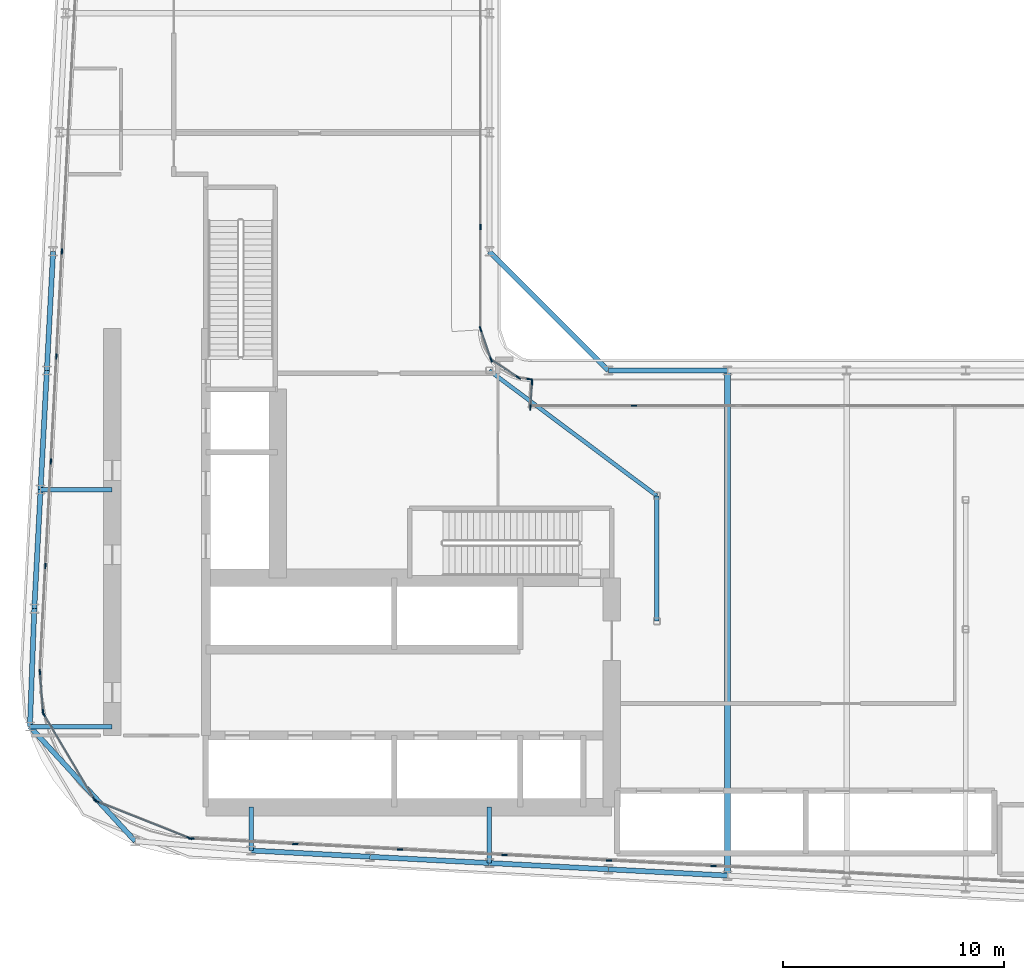
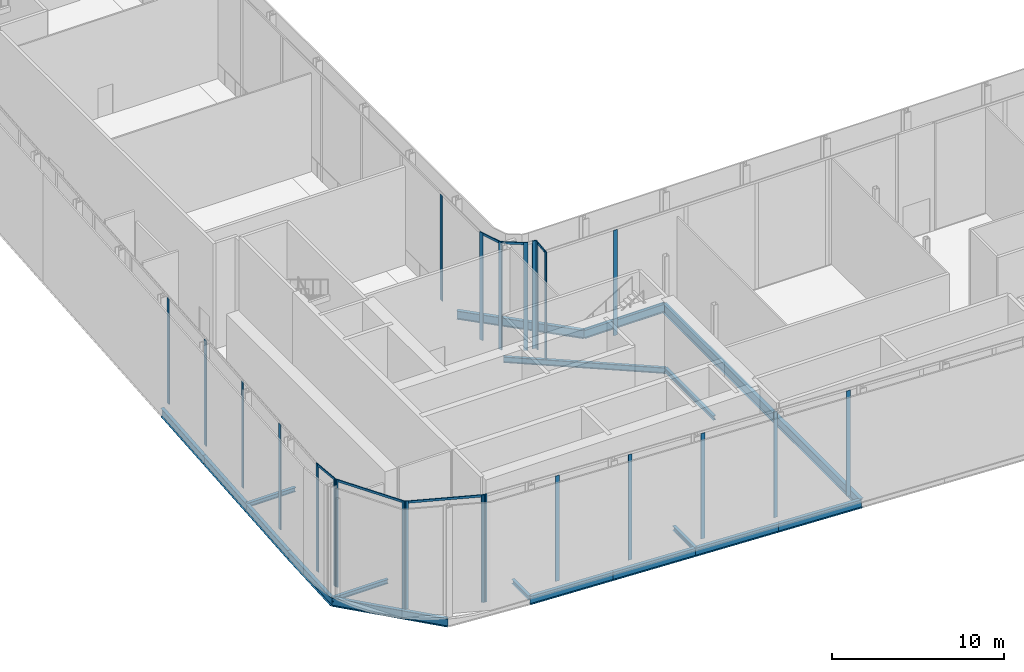
# One storey, part 6 of 37: 30 members, 18 beams, 11 elements without a shape of their own.
"""IFC4 building model written with IfcOpenShell, lengths in metres."""

from ifc_helpers import new_model, si_unit, direction, frame, origin, origin_2d, place, context, subcontext, project, spatial, rectangle, i_section, extrude, material, layer, layer_set, material_profile, profile_set, type_object, element, aggregate, save


model = new_model("IFC4")

# Units and contexts
model_context = context("Model", 3, precision=1e-05, world=origin(), true_north=direction((0.0, 1.0)))
body_context = subcontext(model_context, "Body", "Model", "MODEL_VIEW")
ifc_project = project(units=[si_unit("LENGTHUNIT", "METRE"), si_unit("AREAUNIT", "SQUARE_METRE"), si_unit("VOLUMEUNIT", "CUBIC_METRE"), si_unit("PLANEANGLEUNIT", "RADIAN"), si_unit("MASSUNIT", "GRAM", prefix="KILO")], contexts=[model_context])

# Site, building, storey
site_placement = place(None, origin())
site = spatial("IfcSite", under=ifc_project, at=site_placement, CompositionType="ELEMENT")
building_placement = place(site_placement, origin())
building = spatial("IfcBuilding", under=site, at=building_placement, Name="Kheshtan School and Residences Tower", CompositionType="ELEMENT")
storey_placement = place(building_placement, frame((0.0, 0.0, 144.800048828125)))
storey = spatial("IfcBuildingStorey", under=building, at=storey_placement, Name="L34", CompositionType="ELEMENT", Elevation=144.800048828125)

# Beams
ifc_material_1 = material(Name="Steel ASTM A992 Grade 50", Category="steel")
ifc_material_profile_1 = material_profile(ifc_material_1, i_section(OverallWidth=0.202880859375, OverallDepth=0.302978515625, WebThickness=0.007568359375, FlangeThickness=0.01318359375, FilletRadius=0.009033203125, at=origin_2d()), Name="W310x60")
ifc_profile_set_1 = profile_set([ifc_material_profile_1], Name="Steel ASTM A992 Grade 50")
beam_type_1 = type_object("IfcBeamType", Name="Beam FB1 W310x60 ASTM A992 Grade 50", PredefinedType="BEAM", material=ifc_profile_set_1)
beam_1_placement = place(storey_placement, frame((47.60009765625, 23.263916015625, -0.301513671875), z_axis=(0.0, 1.0, 0.0), x_axis=(-1.0, 0.0, 0.0)))
element("IfcBeam", 1, at=beam_1_placement, inside=storey, type_object=beam_type_1, Name="Floor beam C020", PredefinedType="BEAM", context=body_context, shape_type="SweptSolid", body=[
    extrude(i_section(OverallWidth=0.202880859375, OverallDepth=0.302978515625, WebThickness=0.007568359375, FlangeThickness=0.01318359375, FilletRadius=0.009033203125, at=origin_2d()), origin(), (0.0, 0.0, 1.0), 2.5361328125),
])
beam_2_placement = place(storey_placement, frame((36.800048828125, 23.83203125, -0.301513671875), z_axis=(0.0, 1.0, 0.0), x_axis=(-1.0, 0.0, 0.0)))
element("IfcBeam", 2, at=beam_2_placement, inside=storey, type_object=beam_type_1, Name="Floor beam C022", PredefinedType="BEAM", context=body_context, shape_type="SweptSolid", body=[
    extrude(i_section(OverallWidth=0.202880859375, OverallDepth=0.302978515625, WebThickness=0.007568359375, FlangeThickness=0.01318359375, FilletRadius=0.009033203125, at=origin_2d()), origin(), (0.0, 0.0, 1.0), 1.968017578125),
])
beam_3_placement = place(storey_placement, frame((26.76904296875, 29.4541015625, -0.301513671875), z_axis=(1.0, 0.0, 0.0), x_axis=(0.0, 1.0, 0.0)))
element("IfcBeam", 3, at=beam_3_placement, inside=storey, type_object=beam_type_1, Name="Floor beam C038", PredefinedType="BEAM", context=body_context, shape_type="SweptSolid", body=[
    extrude(i_section(OverallWidth=0.202880859375, OverallDepth=0.302978515625, WebThickness=0.007568359375, FlangeThickness=0.01318359375, FilletRadius=0.009033203125, at=origin_2d()), origin(), (0.0, 0.0, 1.0), 3.73095703125),
])
beam_4_placement = place(storey_placement, frame((27.2529296875, 40.199951171875, -0.301513671875), z_axis=(1.0, 0.0, 0.0), x_axis=(0.0, 1.0, 0.0)))
element("IfcBeam", 4, at=beam_4_placement, inside=storey, type_object=beam_type_1, Name="Floor beam C056", PredefinedType="BEAM", context=body_context, shape_type="SweptSolid", body=[
    extrude(i_section(OverallWidth=0.202880859375, OverallDepth=0.302978515625, WebThickness=0.007568359375, FlangeThickness=0.01318359375, FilletRadius=0.009033203125, at=origin_2d()), origin(), (0.0, 0.0, 1.0), 3.2470703125),
])
beam_5_placement = place(storey_placement, frame((55.199951171875, 34.23193359375, -0.301513671875), z_axis=(0.0, 1.0, 0.0), x_axis=(-1.0, 0.0, 0.0)))
element("IfcBeam", 5, at=beam_5_placement, inside=storey, type_object=beam_type_1, Name="Floor beam IC", PredefinedType="BEAM", context=body_context, shape_type="SweptSolid", body=[
    extrude(i_section(OverallWidth=0.202880859375, OverallDepth=0.302978515625, WebThickness=0.007568359375, FlangeThickness=0.01318359375, FilletRadius=0.009033203125, at=origin_2d()), origin(), (0.0, 0.0, 1.0), 5.68408203125),
])
ifc_material_profile_2 = material_profile(ifc_material_1, i_section(OverallWidth=0.180908203125, OverallDepth=0.4169921875, WebThickness=0.010986328125, FlangeThickness=0.018310546875, FilletRadius=0.012451171875, at=origin_2d()), Name="W410x85")
ifc_profile_set_2 = profile_set([ifc_material_profile_2], Name="Steel ASTM A992 Grade 50")
beam_type_2 = type_object("IfcBeamType", Name="Beam FB3 W410x85 ASTM A992 Grade 50", PredefinedType="BEAM", material=ifc_profile_set_2)
beam_6_placement = place(storey_placement, frame((47.60009765625, 45.60009765625, -0.358642578125), z_axis=(0.800798828004, -0.598933416222, 0.0), x_axis=(0.598933416222, 0.800798828004, 0.0)))
element("IfcBeam", 6, at=beam_6_placement, inside=storey, type_object=beam_type_2, Name="Floor beam IC", PredefinedType="BEAM", context=body_context, shape_type="SweptSolid", body=[
    extrude(i_section(OverallWidth=0.180908203125, OverallDepth=0.4169921875, WebThickness=0.010986328125, FlangeThickness=0.018310546875, FilletRadius=0.012451171875, at=origin_2d()), origin(), (0.0, 0.0, 1.0), 9.490234375),
])
ifc_material_profile_3 = material_profile(ifc_material_1, i_section(OverallWidth=0.2529296875, OverallDepth=0.677978515625, WebThickness=0.01171875, FlangeThickness=0.016357421875, FilletRadius=0.0146484375, at=origin_2d()), Name="W690x125")
ifc_profile_set_3 = profile_set([ifc_material_profile_3], Name="Steel ASTM A992 Grade 50")
beam_type_3 = type_object("IfcBeamType", Name="Beam FB6 W690x125 ASTM A992 Grade 50", PredefinedType="BEAM", material=ifc_profile_set_3)
beam_7_placement = place(storey_placement, frame((58.39990234375, 22.695068359375, -0.489013671875), z_axis=(0.0, 1.0, 0.0), x_axis=(-1.0, 0.0, 0.0)))
element("IfcBeam", 7, at=beam_7_placement, inside=storey, type_object=beam_type_3, Name="Floor beam C018", PredefinedType="BEAM", context=body_context, shape_type="SweptSolid", body=[
    extrude(i_section(OverallWidth=0.2529296875, OverallDepth=0.677978515625, WebThickness=0.01171875, FlangeThickness=0.016357421875, FilletRadius=0.0146484375, at=origin_2d()), origin(), (0.0, 0.0, 1.0), 22.905029296875),
])
ifc_material_profile_4 = material_profile(ifc_material_1, i_section(OverallWidth=0.22802734375, OverallDepth=0.60302734375, WebThickness=0.010498046875, FlangeThickness=0.014892578125, FilletRadius=0.013427734375, at=origin_2d()), Name="W610x101")
ifc_profile_set_4 = profile_set([ifc_material_profile_4], Name="Steel ASTM A992 Grade 50")
beam_type_4 = type_object("IfcBeamType", Name="Beam SP2 W610x101 ASTM A992 Grade 50", PredefinedType="BEAM", material=ifc_profile_set_4)
beam_8_placement = place(storey_placement, frame((47.60009765625, 51.0, -0.45166015625), z_axis=(0.707106781187, -0.707106781187, 0.0), x_axis=(0.707106781187, 0.707106781187, 0.0)))
element("IfcBeam", 8, at=beam_8_placement, inside=storey, type_object=beam_type_4, Name="Spandrel beam C079-C061", PredefinedType="BEAM", context=body_context, shape_type="SweptSolid", body=[
    extrude(i_section(OverallWidth=0.22802734375, OverallDepth=0.60302734375, WebThickness=0.010498046875, FlangeThickness=0.014892578125, FilletRadius=0.013427734375, at=origin_2d()), origin(), (0.0, 0.0, 1.0), 7.63671875),
])
beam_9_placement = place(storey_placement, frame((53.0, 45.60009765625, -0.45166015625), z_axis=(1.0, 0.0, 0.0), x_axis=(0.0, 1.0, 0.0)))
element("IfcBeam", 9, at=beam_9_placement, inside=storey, type_object=beam_type_4, Name="Spandrel beam C061-C062", PredefinedType="BEAM", context=body_context, shape_type="SweptSolid", body=[
    extrude(i_section(OverallWidth=0.22802734375, OverallDepth=0.60302734375, WebThickness=0.010498046875, FlangeThickness=0.014892578125, FilletRadius=0.013427734375, at=origin_2d()), origin(), (0.0, 0.0, 1.0), 5.39990234375),
])
for number, where, z_axis, x_axis, name in (
    (10, (58.39990234375, 22.695068359375, -0.45166015625), (-0.998610961136, 0.052689166816, 0.0), (-0.052689166816, -0.998610961136, 0.0), "Spandrel beam C018-C019"),
    (11, (53.0, 22.97998046875, -0.45166015625), (-0.998620447272, 0.05250906864, 0.0), (-0.05250906864, -0.998620447272, 0.0), "Spandrel beam C019-C020"),
):
    element("IfcBeam", number, at=place(storey_placement, frame(where, z_axis=z_axis, x_axis=x_axis)), inside=storey, type_object=beam_type_4, Name=name, PredefinedType="BEAM", context=body_context, shape_type="SweptSolid", body=[
        extrude(i_section(OverallWidth=0.22802734375, OverallDepth=0.60302734375, WebThickness=0.010498046875, FlangeThickness=0.014892578125, FilletRadius=0.013427734375, at=origin_2d()), origin(), (0.0, 0.0, 1.0), 5.407470703125),
    ])
beam_10_placement = place(storey_placement, frame((47.60009765625, 23.263916015625, -0.45166015625), z_axis=(-0.998618203458, 0.052551724256, 0.0), x_axis=(-0.052551724256, -0.998618203458, 0.0)))
element("IfcBeam", 12, at=beam_10_placement, inside=storey, type_object=beam_type_4, Name="Spandrel beam C020-C021", PredefinedType="BEAM", context=body_context, shape_type="SweptSolid", body=[
    extrude(i_section(OverallWidth=0.22802734375, OverallDepth=0.60302734375, WebThickness=0.010498046875, FlangeThickness=0.014892578125, FilletRadius=0.013427734375, at=origin_2d()), origin(), (0.0, 0.0, 1.0), 5.40771484375),
])
beam_11_placement = place(storey_placement, frame((42.199951171875, 23.548095703125, -0.45166015625), z_axis=(-0.998620447272, 0.05250906864, 0.0), x_axis=(-0.05250906864, -0.998620447272, 0.0)))
element("IfcBeam", 13, at=beam_11_placement, inside=storey, type_object=beam_type_4, Name="Spandrel beam C021-C022", PredefinedType="BEAM", context=body_context, shape_type="SweptSolid", body=[
    extrude(i_section(OverallWidth=0.22802734375, OverallDepth=0.60302734375, WebThickness=0.010498046875, FlangeThickness=0.014892578125, FilletRadius=0.013427734375, at=origin_2d()), origin(), (0.0, 0.0, 1.0), 5.407470703125),
])
beam_12_placement = place(storey_placement, frame((31.5419921875, 24.257080078125, -0.45166015625), z_axis=(-0.676418406149, 0.736517576045, 0.0), x_axis=(-0.736517576045, -0.676418406149, 0.0)))
element("IfcBeam", 14, at=beam_12_placement, inside=storey, type_object=beam_type_4, Name="Spandrel beam C025-C038", PredefinedType="BEAM", context=body_context, shape_type="SweptSolid", body=[
    extrude(i_section(OverallWidth=0.22802734375, OverallDepth=0.60302734375, WebThickness=0.010498046875, FlangeThickness=0.014892578125, FilletRadius=0.013427734375, at=origin_2d()), origin(), (0.0, 0.0, 1.0), 7.05615234375),
])
beam_13_placement = place(storey_placement, frame((26.76904296875, 29.4541015625, -0.45166015625), z_axis=(0.037376249491, 0.999301263871, 0.0), x_axis=(-0.999301263871, 0.037376249491, 0.0)))
element("IfcBeam", 15, at=beam_13_placement, inside=storey, type_object=beam_type_4, Name="Spandrel beam C038-C052", PredefinedType="BEAM", context=body_context, shape_type="SweptSolid", body=[
    extrude(i_section(OverallWidth=0.22802734375, OverallDepth=0.60302734375, WebThickness=0.010498046875, FlangeThickness=0.014892578125, FilletRadius=0.013427734375, at=origin_2d()), origin(), (0.0, 0.0, 1.0), 5.349609375),
])
beam_14_placement = place(storey_placement, frame((26.968994140625, 34.800048828125, -0.45166015625), z_axis=(0.05250906864, 0.998620447272, 0.0), x_axis=(-0.998620447272, 0.05250906864, 0.0)))
element("IfcBeam", 16, at=beam_14_placement, inside=storey, type_object=beam_type_4, Name="Spandrel beam C052-C056", PredefinedType="BEAM", context=body_context, shape_type="SweptSolid", body=[
    extrude(i_section(OverallWidth=0.22802734375, OverallDepth=0.60302734375, WebThickness=0.010498046875, FlangeThickness=0.014892578125, FilletRadius=0.013427734375, at=origin_2d()), origin(), (0.0, 0.0, 1.0), 5.407470703125),
])
beam_15_placement = place(storey_placement, frame((27.2529296875, 40.199951171875, -0.45166015625), z_axis=(0.052551724256, 0.998618203458, 0.0), x_axis=(-0.998618203458, 0.052551724256, 0.0)))
element("IfcBeam", 17, at=beam_15_placement, inside=storey, type_object=beam_type_4, Name="Spandrel beam C056-C059", PredefinedType="BEAM", context=body_context, shape_type="SweptSolid", body=[
    extrude(i_section(OverallWidth=0.22802734375, OverallDepth=0.60302734375, WebThickness=0.010498046875, FlangeThickness=0.014892578125, FilletRadius=0.013427734375, at=origin_2d()), origin(), (0.0, 0.0, 1.0), 5.40771484375),
])
beam_16_placement = place(storey_placement, frame((27.537109375, 45.60009765625, -0.45166015625), z_axis=(0.052689166816, 0.998610961136, 0.0), x_axis=(-0.998610961136, 0.052689166816, 0.0)))
element("IfcBeam", 18, at=beam_16_placement, inside=storey, type_object=beam_type_4, Name="Spandrel beam C059-C078", PredefinedType="BEAM", context=body_context, shape_type="SweptSolid", body=[
    extrude(i_section(OverallWidth=0.22802734375, OverallDepth=0.60302734375, WebThickness=0.010498046875, FlangeThickness=0.014892578125, FilletRadius=0.013427734375, at=origin_2d()), origin(), (0.0, 0.0, 1.0), 5.407470703125),
])

# Curtain wall, member
ifc_material_2 = material(Name="Clear low-e glass in thermally broken aluminium frame", Category="aluminium")
ifc_layer_1 = layer(ifc_material_2, 0.25)
ifc_layer_set_1 = layer_set([ifc_layer_1], Name="Curtain wall CW-G")
curtain_wall_type_1 = type_object("IfcCurtainWallType", Name="Curtain wall CW-G", PredefinedType="NOTDEFINED", material=ifc_layer_set_1)
curtain_wall_1_placement = place(storey_placement, origin())
curtain_wall_1 = element("IfcCurtainWall", 19, at=curtain_wall_1_placement, inside=storey, type_object=curtain_wall_type_1, Name="Curtain wall CWG5", PredefinedType="NOTDEFINED")
ifc_material_3 = material(Name="Thermally broken aluminium, dark bronze anodised", Category="aluminium")
ifc_material_profile_5 = material_profile(ifc_material_3, rectangle(XDim=0.06005859375, YDim=0.25, at=origin_2d()), Name="CW-G mullion 60x250")
ifc_profile_set_5 = profile_set([ifc_material_profile_5], Name="Thermally broken aluminium, dark bronze anodised")
member_type_1 = type_object("IfcMemberType", Name="CW-G mullion 60x250", PredefinedType="MULLION", material=ifc_profile_set_5)
member_1_placement = place(storey_placement, frame((54.169921875, 44.0, 0.0), z_axis=(0.0, 0.0, 1.0), x_axis=(0.0, 1.0, 0.0)))
member_1 = element("IfcMember", 20, at=member_1_placement, type_object=member_type_1, Name="CWG5 mullion 2", PredefinedType="MULLION", context=body_context, shape_type="SweptSolid", body=[
    extrude(rectangle(XDim=0.06005859375, YDim=0.25, at=origin_2d()), origin(), (0.0, 0.0, 1.0), 7.489990234375),
])
aggregate(curtain_wall_1, [member_1])

# Curtain wall, members
ifc_layer_2 = layer(ifc_material_2, 0.25)
ifc_layer_set_2 = layer_set([ifc_layer_2], Name="Curtain wall CW-K")
curtain_wall_type_2 = type_object("IfcCurtainWallType", Name="Curtain wall CW-K", PredefinedType="NOTDEFINED", material=ifc_layer_set_2)
curtain_wall_2_placement = place(storey_placement, origin())
curtain_wall_2 = element("IfcCurtainWall", 21, at=curtain_wall_2_placement, inside=storey, type_object=curtain_wall_type_2, Name="Curtain wall CWK1", PredefinedType="NOTDEFINED")
ifc_material_profile_6 = material_profile(ifc_material_3, rectangle(XDim=0.06005859375, YDim=0.25, at=origin_2d()), Name="CW-K mullion 60x250")
ifc_profile_set_6 = profile_set([ifc_material_profile_6], Name="Thermally broken aluminium, dark bronze anodised")
member_type_2 = type_object("IfcMemberType", Name="CW-K mullion 60x250", PredefinedType="MULLION", material=ifc_profile_set_6)
member_2_placement = place(storey_placement, frame((47.204345703125, 47.473388671875, 0.0), z_axis=(0.0, 0.0, 1.0), x_axis=(0.945190205469, 0.326520252796, 0.0)))
member_2 = element("IfcMember", 22, at=member_2_placement, type_object=member_type_2, Name="CWK1 mullion 1", PredefinedType="MULLION", context=body_context, shape_type="SweptSolid", body=[
    extrude(rectangle(XDim=0.06005859375, YDim=0.25, at=origin_2d()), origin(), (0.0, 0.0, 1.0), 7.64990234375),
])
member_3_placement = place(storey_placement, frame((47.6787109375, 46.10009765625, 0.0), z_axis=(0.0, 0.0, 1.0), x_axis=(0.945190205469, 0.326520252796, 0.0)))
member_3 = element("IfcMember", 23, at=member_3_placement, type_object=member_type_2, Name="CWK1 mullion 2", PredefinedType="MULLION", context=body_context, shape_type="SweptSolid", body=[
    extrude(rectangle(XDim=0.06005859375, YDim=0.25, at=origin_2d()), origin(), (0.0, 0.0, 1.0), 7.64990234375),
])

# Curtain wall, member
curtain_wall_3_placement = place(storey_placement, origin())
curtain_wall_3 = element("IfcCurtainWall", 24, at=curtain_wall_3_placement, inside=storey, type_object=curtain_wall_type_2, Name="Curtain wall CWK2", PredefinedType="NOTDEFINED")
member_4_placement = place(storey_placement, frame((48.90966796875, 45.27978515625, 0.0), z_axis=(0.0, 0.0, 1.0), x_axis=(0.555744859586, 0.831352904033, 0.0)))
member_4 = element("IfcMember", 25, at=member_4_placement, type_object=member_type_2, Name="CWK2 mullion 2", PredefinedType="MULLION", context=body_context, shape_type="SweptSolid", body=[
    extrude(rectangle(XDim=0.06005859375, YDim=0.25, at=origin_2d()), origin(), (0.0, 0.0, 1.0), 7.64990234375),
])

curtain_wall_4_placement = place(storey_placement, origin())
curtain_wall_4 = element("IfcCurtainWall", 26, at=curtain_wall_4_placement, inside=storey, type_object=curtain_wall_type_2, Name="Curtain wall CWK3", PredefinedType="NOTDEFINED")
member_5_placement = place(storey_placement, frame((49.424072265625, 45.205078125, 0.0), z_axis=(0.0, 0.0, 1.0), x_axis=(0.137712714358, 0.990472214807, 0.0)))
member_5 = element("IfcMember", 27, at=member_5_placement, type_object=member_type_2, Name="CWK3 mullion 2", PredefinedType="MULLION", context=body_context, shape_type="SweptSolid", body=[
    extrude(rectangle(XDim=0.06005859375, YDim=0.25, at=origin_2d()), origin(), (0.0, 0.0, 1.0), 7.64990234375),
])
aggregate(curtain_wall_4, [member_5])

# Curtain wall, members
curtain_wall_5_placement = place(storey_placement, origin())
curtain_wall_5 = element("IfcCurtainWall", 28, at=curtain_wall_5_placement, inside=storey, type_object=curtain_wall_type_2, Name="Curtain wall CWK4", PredefinedType="NOTDEFINED")
member_6_placement = place(storey_placement, frame((49.537841796875, 45.0654296875, 0.0), z_axis=(0.0, 0.0, 1.0), x_axis=(0.997829199352, -0.065855059944, 0.0)))
member_6 = element("IfcMember", 29, at=member_6_placement, type_object=member_type_2, Name="CWK4 mullion 1", PredefinedType="MULLION", context=body_context, shape_type="SweptSolid", body=[
    extrude(rectangle(XDim=0.06005859375, YDim=0.25, at=origin_2d()), origin(), (0.0, 0.0, 1.0), 7.64990234375),
])
member_7_placement = place(storey_placement, frame((49.462646484375, 43.928466796875, 0.0), z_axis=(0.0, 0.0, 1.0), x_axis=(0.997829199352, -0.065855059944, 0.0)))
member_7 = element("IfcMember", 30, at=member_7_placement, type_object=member_type_2, Name="CWK4 mullion 2", PredefinedType="MULLION", context=body_context, shape_type="SweptSolid", body=[
    extrude(rectangle(XDim=0.06005859375, YDim=0.25, at=origin_2d()), origin(), (0.0, 0.0, 1.0), 7.64990234375),
])

curtain_wall_6_placement = place(storey_placement, origin())
curtain_wall_6 = element("IfcCurtainWall", 31, at=curtain_wall_6_placement, inside=storey, type_object=curtain_wall_type_2, Name="Curtain wall CWK14", PredefinedType="NOTDEFINED")
member_8_placement = place(storey_placement, frame((57.76513671875, 23.12939453125, 0.0), z_axis=(0.0, 0.0, 1.0), x_axis=(-0.052569888839, -0.998617247391, 0.0)))
member_8 = element("IfcMember", 32, at=member_8_placement, type_object=member_type_2, Name="CWK14 mullion 10", PredefinedType="MULLION", context=body_context, shape_type="SweptSolid", body=[
    extrude(rectangle(XDim=0.06005859375, YDim=0.25, at=origin_2d()), origin(), (0.0, 0.0, 1.0), 7.489990234375),
])
member_9_placement = place(storey_placement, frame((53.024169921875, 23.37890625, 0.0), z_axis=(0.0, 0.0, 1.0), x_axis=(-0.052569888839, -0.998617247391, 0.0)))
member_9 = element("IfcMember", 33, at=member_9_placement, type_object=member_type_2, Name="CWK14 mullion 11", PredefinedType="MULLION", context=body_context, shape_type="SweptSolid", body=[
    extrude(rectangle(XDim=0.06005859375, YDim=0.25, at=origin_2d()), origin(), (0.0, 0.0, 1.0), 7.489990234375),
])
member_10_placement = place(storey_placement, frame((48.283203125, 23.62841796875, 0.0), z_axis=(0.0, 0.0, 1.0), x_axis=(-0.052569888839, -0.998617247391, 0.0)))
member_10 = element("IfcMember", 34, at=member_10_placement, type_object=member_type_2, Name="CWK14 mullion 12", PredefinedType="MULLION", context=body_context, shape_type="SweptSolid", body=[
    extrude(rectangle(XDim=0.06005859375, YDim=0.25, at=origin_2d()), origin(), (0.0, 0.0, 1.0), 7.489990234375),
])
member_11_placement = place(storey_placement, frame((43.54248046875, 23.8779296875, 0.0), z_axis=(0.0, 0.0, 1.0), x_axis=(-0.052569888839, -0.998617247391, 0.0)))
member_11 = element("IfcMember", 35, at=member_11_placement, type_object=member_type_2, Name="CWK14 mullion 13", PredefinedType="MULLION", context=body_context, shape_type="SweptSolid", body=[
    extrude(rectangle(XDim=0.06005859375, YDim=0.25, at=origin_2d()), origin(), (0.0, 0.0, 1.0), 7.489990234375),
])
member_12_placement = place(storey_placement, frame((38.801513671875, 24.127685546875, 0.0), z_axis=(0.0, 0.0, 1.0), x_axis=(-0.052569888839, -0.998617247391, 0.0)))
member_12 = element("IfcMember", 36, at=member_12_placement, type_object=member_type_2, Name="CWK14 mullion 14", PredefinedType="MULLION", context=body_context, shape_type="SweptSolid", body=[
    extrude(rectangle(XDim=0.06005859375, YDim=0.25, at=origin_2d()), origin(), (0.0, 0.0, 1.0), 7.489990234375),
])
member_13_placement = place(storey_placement, frame((34.0908203125, 24.37548828125, 0.0), z_axis=(0.0, 0.0, 1.0), x_axis=(-0.052569888839, -0.998617247391, 0.0)))
member_13 = element("IfcMember", 37, at=member_13_placement, type_object=member_type_2, Name="CWK14 mullion 15", PredefinedType="MULLION", context=body_context, shape_type="SweptSolid", body=[
    extrude(rectangle(XDim=0.06005859375, YDim=0.25, at=origin_2d()), origin(), (0.0, 0.0, 1.0), 7.64990234375),
])
aggregate(curtain_wall_6, [member_8, member_9, member_10, member_11, member_12, member_13])

curtain_wall_7_placement = place(storey_placement, origin())
curtain_wall_7 = element("IfcCurtainWall", 38, at=curtain_wall_7_placement, inside=storey, type_object=curtain_wall_type_2, Name="Curtain wall CWK15", PredefinedType="NOTDEFINED")
member_14_placement = place(storey_placement, frame((34.001220703125, 24.39501953125, 0.0), z_axis=(0.0, 0.0, 1.0), x_axis=(-0.369099336022, -0.929389950531, 0.0)))
member_14 = element("IfcMember", 39, at=member_14_placement, type_object=member_type_2, Name="CWK15 mullion 1", PredefinedType="MULLION", context=body_context, shape_type="SweptSolid", body=[
    extrude(rectangle(XDim=0.06005859375, YDim=0.25, at=origin_2d()), origin(), (0.0, 0.0, 1.0), 7.64990234375),
])
member_15_placement = place(storey_placement, frame((29.7890625, 26.06787109375, 0.0), z_axis=(0.0, 0.0, 1.0), x_axis=(-0.369099336022, -0.929389950531, 0.0)))
member_15 = element("IfcMember", 40, at=member_15_placement, type_object=member_type_2, Name="CWK15 mullion 2", PredefinedType="MULLION", context=body_context, shape_type="SweptSolid", body=[
    extrude(rectangle(XDim=0.06005859375, YDim=0.25, at=origin_2d()), origin(), (0.0, 0.0, 1.0), 7.64990234375),
])

curtain_wall_8_placement = place(storey_placement, origin())
curtain_wall_8 = element("IfcCurtainWall", 41, at=curtain_wall_8_placement, inside=storey, type_object=curtain_wall_type_2, Name="Curtain wall CWK16", PredefinedType="NOTDEFINED")
member_16_placement = place(storey_placement, frame((29.69677734375, 26.146728515625, 0.0), z_axis=(0.0, 0.0, 1.0), x_axis=(-0.85953588802, -0.511075392878, 0.0)))
member_16 = element("IfcMember", 42, at=member_16_placement, type_object=member_type_2, Name="CWK16 mullion 1", PredefinedType="MULLION", context=body_context, shape_type="SweptSolid", body=[
    extrude(rectangle(XDim=0.06005859375, YDim=0.25, at=origin_2d()), origin(), (0.0, 0.0, 1.0), 7.64990234375),
])
member_17_placement = place(storey_placement, frame((27.395263671875, 30.01708984375, 0.0), z_axis=(0.0, 0.0, 1.0), x_axis=(-0.85953588802, -0.511075392878, 0.0)))
member_17 = element("IfcMember", 43, at=member_17_placement, type_object=member_type_2, Name="CWK16 mullion 2", PredefinedType="MULLION", context=body_context, shape_type="SweptSolid", body=[
    extrude(rectangle(XDim=0.06005859375, YDim=0.25, at=origin_2d()), origin(), (0.0, 0.0, 1.0), 7.64990234375),
])

curtain_wall_9_placement = place(storey_placement, origin())
curtain_wall_9 = element("IfcCurtainWall", 44, at=curtain_wall_9_placement, inside=storey, type_object=curtain_wall_type_2, Name="Curtain wall CWK17", PredefinedType="NOTDEFINED")
member_18_placement = place(storey_placement, frame((27.364013671875, 30.1162109375, 0.0), z_axis=(0.0, 0.0, 1.0), x_axis=(-0.996988506678, -0.077549452299, 0.0)))
member_18 = element("IfcMember", 45, at=member_18_placement, type_object=member_type_2, Name="CWK17 mullion 1", PredefinedType="MULLION", context=body_context, shape_type="SweptSolid", body=[
    extrude(rectangle(XDim=0.06005859375, YDim=0.25, at=origin_2d()), origin(), (0.0, 0.0, 1.0), 7.64990234375),
])
member_19_placement = place(storey_placement, frame((27.22265625, 31.933349609375, 0.0), z_axis=(0.0, 0.0, 1.0), x_axis=(-0.996988506678, -0.077549452299, 0.0)))
member_19 = element("IfcMember", 46, at=member_19_placement, type_object=member_type_2, Name="CWK17 mullion 2", PredefinedType="MULLION", context=body_context, shape_type="SweptSolid", body=[
    extrude(rectangle(XDim=0.06005859375, YDim=0.25, at=origin_2d()), origin(), (0.0, 0.0, 1.0), 7.64990234375),
])

curtain_wall_10_placement = place(storey_placement, origin())
curtain_wall_10 = element("IfcCurtainWall", 47, at=curtain_wall_10_placement, inside=storey, type_object=curtain_wall_type_2, Name="Curtain wall CWK18", PredefinedType="NOTDEFINED")
member_20_placement = place(storey_placement, frame((27.47021484375, 36.728515625, 0.0), z_axis=(0.0, 0.0, 1.0), x_axis=(-0.998617497599, 0.05256513568, 0.0)))
member_20 = element("IfcMember", 48, at=member_20_placement, type_object=member_type_2, Name="CWK18 mullion 2", PredefinedType="MULLION", context=body_context, shape_type="SweptSolid", body=[
    extrude(rectangle(XDim=0.06005859375, YDim=0.25, at=origin_2d()), origin(), (0.0, 0.0, 1.0), 7.489990234375),
])
member_21_placement = place(storey_placement, frame((27.720458984375, 41.48046875, 0.0), z_axis=(0.0, 0.0, 1.0), x_axis=(-0.998617497599, 0.05256513568, 0.0)))
member_21 = element("IfcMember", 49, at=member_21_placement, type_object=member_type_2, Name="CWK18 mullion 3", PredefinedType="MULLION", context=body_context, shape_type="SweptSolid", body=[
    extrude(rectangle(XDim=0.06005859375, YDim=0.25, at=origin_2d()), origin(), (0.0, 0.0, 1.0), 7.489990234375),
])
member_22_placement = place(storey_placement, frame((27.970458984375, 46.232666015625, 0.0), z_axis=(0.0, 0.0, 1.0), x_axis=(-0.998617497599, 0.05256513568, 0.0)))
member_22 = element("IfcMember", 50, at=member_22_placement, type_object=member_type_2, Name="CWK18 mullion 4", PredefinedType="MULLION", context=body_context, shape_type="SweptSolid", body=[
    extrude(rectangle(XDim=0.06005859375, YDim=0.25, at=origin_2d()), origin(), (0.0, 0.0, 1.0), 7.489990234375),
])
member_23_placement = place(storey_placement, frame((28.220703125, 50.98486328125, 0.0), z_axis=(0.0, 0.0, 1.0), x_axis=(-0.998617497599, 0.05256513568, 0.0)))
member_23 = element("IfcMember", 51, at=member_23_placement, type_object=member_type_2, Name="CWK18 mullion 5", PredefinedType="MULLION", context=body_context, shape_type="SweptSolid", body=[
    extrude(rectangle(XDim=0.06005859375, YDim=0.25, at=origin_2d()), origin(), (0.0, 0.0, 1.0), 7.489990234375),
])
aggregate(curtain_wall_10, [member_20, member_21, member_22, member_23])

# Curtain wall, member
curtain_wall_11_placement = place(storey_placement, origin())
curtain_wall_11 = element("IfcCurtainWall", 52, at=curtain_wall_11_placement, inside=storey, type_object=curtain_wall_type_2, Name="Curtain wall CWK24", PredefinedType="NOTDEFINED")
member_24_placement = place(storey_placement, frame((47.199951171875, 52.10546875, 0.0), z_axis=(0.0, 0.0, 1.0), x_axis=(1.0, 0.0, 0.0)))
member_24 = element("IfcMember", 53, at=member_24_placement, type_object=member_type_2, Name="CWK24 mullion 11", PredefinedType="MULLION", context=body_context, shape_type="SweptSolid", body=[
    extrude(rectangle(XDim=0.06005859375, YDim=0.25, at=origin_2d()), origin(), (0.0, 0.0, 1.0), 7.489990234375),
])
aggregate(curtain_wall_11, [member_24])

# Member
ifc_material_profile_7 = material_profile(ifc_material_3, rectangle(XDim=0.06005859375, YDim=0.159912109375, at=origin_2d()), Name="CW-K transom 60x160")
ifc_profile_set_7 = profile_set([ifc_material_profile_7], Name="Thermally broken aluminium, dark bronze anodised")
member_type_3 = type_object("IfcMemberType", Name="CW-K transom 60x160", PredefinedType="USERDEFINED", material=ifc_profile_set_7)
member_25_placement = place(storey_placement, frame((47.214111328125, 47.44482421875, 7.570068359375), z_axis=(0.326568656933, -0.945173482652, 0.0), x_axis=(0.945173482652, 0.326568656933, 0.0)))
member_25 = element("IfcMember", 54, at=member_25_placement, type_object=member_type_3, Name="CWK1 transom 1", ObjectType="TRANSOM", PredefinedType="USERDEFINED", context=body_context, shape_type="SweptSolid", body=[
    extrude(rectangle(XDim=0.06005859375, YDim=0.159912109375, at=origin_2d()), origin(), (0.0, 0.0, 1.0), 1.392822265625),
])

aggregate(curtain_wall_2, [member_2, member_3, member_25])

member_26_placement = place(storey_placement, frame((47.704833984375, 46.085205078125, 7.570068359375), z_axis=(0.831335091736, -0.555771504531, 0.0), x_axis=(0.555771504531, 0.831335091736, 0.0)))
member_26 = element("IfcMember", 55, at=member_26_placement, type_object=member_type_3, Name="CWK2 transom 1", ObjectType="TRANSOM", PredefinedType="USERDEFINED", context=body_context, shape_type="SweptSolid", body=[
    extrude(rectangle(XDim=0.06005859375, YDim=0.159912109375, at=origin_2d()), origin(), (0.0, 0.0, 1.0), 1.41943359375),
])

aggregate(curtain_wall_3, [member_4, member_26])

member_27_placement = place(storey_placement, frame((49.535888671875, 45.03564453125, 7.570068359375), z_axis=(-0.065798635894, -0.997832921643, 0.0), x_axis=(0.997832921643, -0.065798635894, 0.0)))
member_27 = element("IfcMember", 56, at=member_27_placement, type_object=member_type_3, Name="CWK4 transom 1", ObjectType="TRANSOM", PredefinedType="USERDEFINED", context=body_context, shape_type="SweptSolid", body=[
    extrude(rectangle(XDim=0.06005859375, YDim=0.159912109375, at=origin_2d()), origin(), (0.0, 0.0, 1.0), 1.079833984375),
])

aggregate(curtain_wall_5, [member_6, member_7, member_27])

member_28_placement = place(storey_placement, frame((33.973388671875, 24.40625, 7.570068359375), z_axis=(-0.929396211553, 0.369083570415, 0.0), x_axis=(-0.369083570415, -0.929396211553, 0.0)))
member_28 = element("IfcMember", 57, at=member_28_placement, type_object=member_type_3, Name="CWK15 transom 1", ObjectType="TRANSOM", PredefinedType="USERDEFINED", context=body_context, shape_type="SweptSolid", body=[
    extrude(rectangle(XDim=0.06005859375, YDim=0.159912109375, at=origin_2d()), origin(), (0.0, 0.0, 1.0), 4.47216796875),
])

aggregate(curtain_wall_7, [member_14, member_15, member_28])

member_29_placement = place(storey_placement, frame((29.681396484375, 26.17236328125, 7.570068359375), z_axis=(-0.511089656668, 0.859527406688, 0.0), x_axis=(-0.859527406688, -0.511089656668, 0.0)))
member_29 = element("IfcMember", 58, at=member_29_placement, type_object=member_type_3, Name="CWK16 transom 1", ObjectType="TRANSOM", PredefinedType="USERDEFINED", context=body_context, shape_type="SweptSolid", body=[
    extrude(rectangle(XDim=0.06005859375, YDim=0.159912109375, at=origin_2d()), origin(), (0.0, 0.0, 1.0), 4.44287109375),
])

aggregate(curtain_wall_8, [member_16, member_17, member_29])

member_30_placement = place(storey_placement, frame((27.361572265625, 30.14599609375, 7.570068359375), z_axis=(-0.077565002269, 0.996987297022, 0.0), x_axis=(-0.996987297022, -0.077565002269, 0.0)))
member_30 = element("IfcMember", 59, at=member_30_placement, type_object=member_type_3, Name="CWK17 transom 1", ObjectType="TRANSOM", PredefinedType="USERDEFINED", context=body_context, shape_type="SweptSolid", body=[
    extrude(rectangle(XDim=0.06005859375, YDim=0.159912109375, at=origin_2d()), origin(), (0.0, 0.0, 1.0), 1.7626953125),
])

aggregate(curtain_wall_9, [member_18, member_19, member_30])

save(model, "model.ifc")
